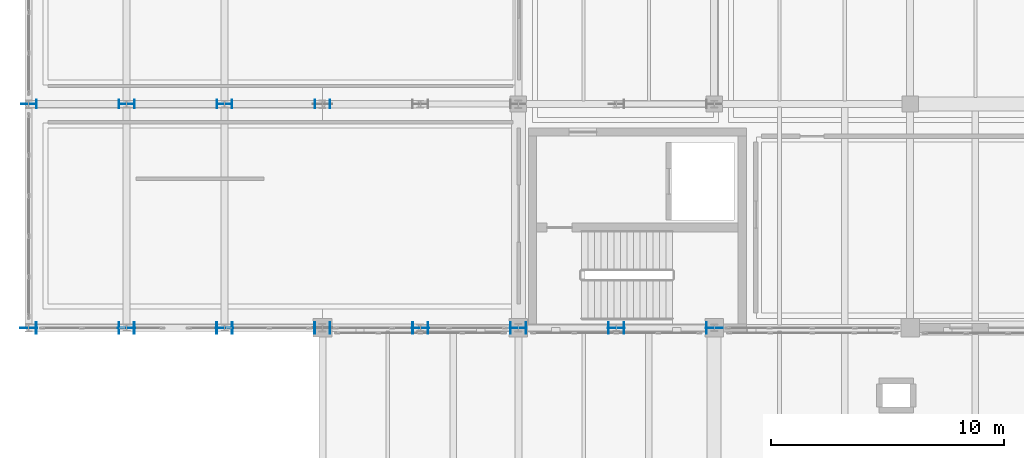
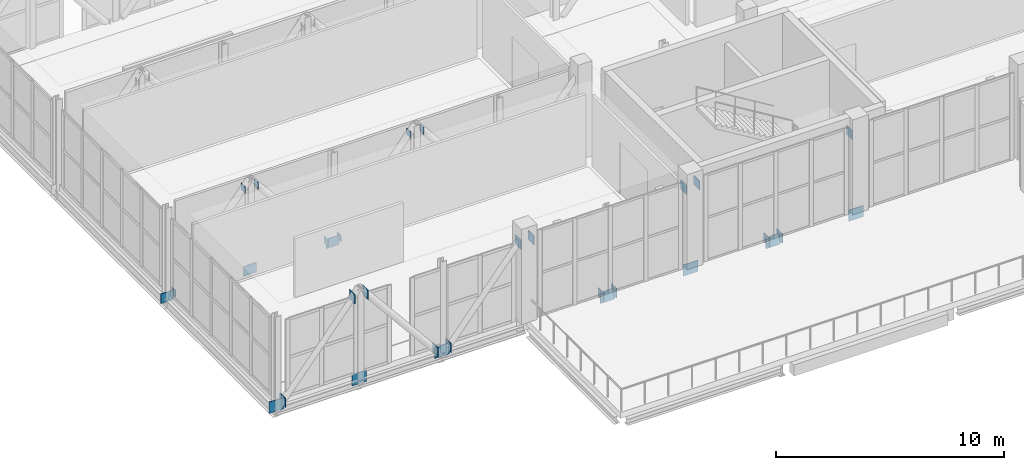
# One storey, part 56 of 77: 31 plates.
"""IFC4 building model written with IfcOpenShell, lengths in metres."""

from ifc_helpers import new_model, si_unit, direction, frame, origin, origin_2d, place, context, subcontext, project, spatial, rectangle, extrude, material, layer, layer_set, type_object, element, save


model = new_model("IFC4")

# Units and contexts
model_context = context("Model", 3, precision=1e-05, world=origin(), true_north=direction((0.0, 1.0)))
body_context = subcontext(model_context, "Body", "Model", "MODEL_VIEW")
ifc_project = project(units=[si_unit("LENGTHUNIT", "METRE"), si_unit("AREAUNIT", "SQUARE_METRE"), si_unit("VOLUMEUNIT", "CUBIC_METRE"), si_unit("PLANEANGLEUNIT", "RADIAN"), si_unit("MASSUNIT", "GRAM", prefix="KILO")], contexts=[model_context])

# Site, building, storey
site_placement = place(None, origin())
site = spatial("IfcSite", under=ifc_project, at=site_placement, CompositionType="ELEMENT")
building_placement = place(site_placement, origin())
building = spatial("IfcBuilding", under=site, at=building_placement, Name="Zulmaris Art Gallery", CompositionType="ELEMENT")
storey_placement = place(building_placement, frame((0.0, 0.0, 15.60009765625)))
storey = spatial("IfcBuildingStorey", under=building, at=storey_placement, Name="L03", CompositionType="ELEMENT", Elevation=15.60009765625)

# Plates
ifc_material = material(Name="Steel S355J2", Category="steel")
ifc_layer_1 = layer(ifc_material, 0.02197265625)
ifc_layer_set_1 = layer_set([ifc_layer_1], Name="Steel S355J2")
plate_type_1 = type_object("IfcPlateType", Name="PLT-CP02", PredefinedType="USERDEFINED", material=ifc_layer_set_1)
for number, where, z_axis, x_axis, name in (
    (1, (11.72998046875, 31.199951171875, -0.31396484375), (0.0, 0.0, 1.0), (1.0, 0.0, 0.0), "Hollow-section end cap plate 15"),
    (2, (15.27001953125, 31.199951171875, 4.00048828125), (0.0, 0.0, 1.0), (1.0, 0.0, 0.0), "Hollow-section end cap plate 16"),
    (3, (15.929931640625, 31.199951171875, 4.00048828125), (0.0, 0.0, 1.0), (1.0, 0.0, 0.0), "Hollow-section end cap plate 17"),
    (4, (19.47021484375, 31.199951171875, -0.31396484375), (0.0, 0.0, 1.0), (1.0, 0.0, 0.0), "Hollow-section end cap plate 18"),
    (5, (20.1298828125, 31.199951171875, -0.31396484375), (0.0, 0.0, 1.0), (1.0, 0.0, 0.0), "Hollow-section end cap plate 19"),
    (6, (23.670166015625, 31.199951171875, 4.00048828125), (0.0, 0.0, 1.0), (1.0, 0.0, 0.0), "Hollow-section end cap plate 20"),
    (7, (24.329833984375, 31.199951171875, 4.00048828125), (0.0, 0.0, 1.0), (1.0, 0.0, 0.0), "Hollow-section end cap plate 21"),
):
    element("IfcPlate", number, at=place(storey_placement, frame(where, z_axis=z_axis, x_axis=x_axis)), inside=storey, type_object=plate_type_1, Name=name, ObjectType="CAP PLATE", PredefinedType="USERDEFINED", context=body_context, shape_type="SweptSolid", body=[
        extrude(rectangle(XDim=0.02197265625, YDim=0.360107421875, at=origin_2d()), origin(), (0.0, 0.0, 1.0), 0.360107421875),
    ])
ifc_layer_2 = layer(ifc_material, 0.028076171875)
ifc_layer_set_2 = layer_set([ifc_layer_2], Name="Steel S355J2")
plate_type_2 = type_object("IfcPlateType", Name="PLT-CP04", PredefinedType="USERDEFINED", material=ifc_layer_set_2)
for number, where, z_axis, x_axis, name in (
    (8, (11.72998046875, 21.60009765625, -0.384033203125), (0.0, 0.0, 1.0), (1.0, 0.0, 0.0), "Hollow-section end cap plate 1"),
    (9, (15.27001953125, 21.60009765625, 3.930419921875), (0.0, 0.0, 1.0), (1.0, 0.0, 0.0), "Hollow-section end cap plate 2"),
    (10, (15.929931640625, 21.60009765625, 3.930419921875), (0.0, 0.0, 1.0), (1.0, 0.0, 0.0), "Hollow-section end cap plate 3"),
    (11, (19.47021484375, 21.60009765625, -0.384033203125), (0.0, 0.0, 1.0), (1.0, 0.0, 0.0), "Hollow-section end cap plate 4"),
    (12, (20.1298828125, 21.60009765625, -0.384033203125), (0.0, 0.0, 1.0), (1.0, 0.0, 0.0), "Hollow-section end cap plate 5"),
    (13, (23.670166015625, 21.60009765625, 3.930419921875), (0.0, 0.0, 1.0), (1.0, 0.0, 0.0), "Hollow-section end cap plate 6"),
    (14, (24.329833984375, 21.60009765625, 3.930419921875), (0.0, 0.0, 1.0), (1.0, 0.0, 0.0), "Hollow-section end cap plate 7"),
    (15, (27.8701171875, 21.60009765625, -0.384033203125), (0.0, 0.0, 1.0), (1.0, 0.0, 0.0), "Hollow-section end cap plate 8"),
    (16, (28.52978515625, 21.60009765625, -0.384033203125), (0.0, 0.0, 1.0), (1.0, 0.0, 0.0), "Hollow-section end cap plate 9"),
    (17, (32.070068359375, 21.60009765625, 3.930419921875), (0.0, 0.0, 1.0), (1.0, 0.0, 0.0), "Hollow-section end cap plate 10"),
    (18, (32.72998046875, 21.60009765625, 3.930419921875), (0.0, 0.0, 1.0), (1.0, 0.0, 0.0), "Hollow-section end cap plate 11"),
    (19, (36.27001953125, 21.60009765625, -0.384033203125), (0.0, 0.0, 1.0), (1.0, 0.0, 0.0), "Hollow-section end cap plate 12"),
    (20, (36.929931640625, 21.60009765625, -0.384033203125), (0.0, 0.0, 1.0), (1.0, 0.0, 0.0), "Hollow-section end cap plate 13"),
    (21, (40.47021484375, 21.60009765625, 3.930419921875), (0.0, 0.0, 1.0), (1.0, 0.0, 0.0), "Hollow-section end cap plate 14"),
):
    element("IfcPlate", number, at=place(storey_placement, frame(where, z_axis=z_axis, x_axis=x_axis)), inside=storey, type_object=plate_type_2, Name=name, ObjectType="CAP PLATE", PredefinedType="USERDEFINED", context=body_context, shape_type="SweptSolid", body=[
        extrude(rectangle(XDim=0.028076171875, YDim=0.5, at=origin_2d()), origin(), (0.0, 0.0, 1.0), 0.5),
    ])
ifc_layer_3 = layer(ifc_material, 0.028076171875)
ifc_layer_set_3 = layer_set([ifc_layer_3], Name="Steel S355J2")
plate_type_3 = type_object("IfcPlateType", Name="PLT-GP02", PredefinedType="USERDEFINED", material=ifc_layer_set_3)
for number, where, z_axis, x_axis, name in (
    (22, (11.39990234375, 31.199951171875, -0.546142578125), (0.0, 0.0, 1.0), (1.0, 0.0, 0.0), "Cantilever truss TR-C2 node gusset 1"),
    (23, (15.60009765625, 31.199951171875, -0.546142578125), (0.0, 0.0, 1.0), (1.0, 0.0, 0.0), "Cantilever truss TR-C2 node gusset 2"),
    (24, (19.800048828125, 31.199951171875, -0.546142578125), (0.0, 0.0, 1.0), (1.0, 0.0, 0.0), "Cantilever truss TR-C2 node gusset 3"),
):
    element("IfcPlate", number, at=place(storey_placement, frame(where, z_axis=z_axis, x_axis=x_axis)), inside=storey, type_object=plate_type_3, Name=name, ObjectType="GUSSET PLATE", PredefinedType="USERDEFINED", context=body_context, shape_type="SweptSolid", body=[
        extrude(rectangle(XDim=0.639892578125, YDim=0.028076171875, at=origin_2d()), origin(), (0.0, 0.0, 1.0), 0.52001953125),
    ])
ifc_layer_4 = layer(ifc_material, 0.031982421875)
ifc_layer_set_4 = layer_set([ifc_layer_4], Name="Steel S355J2")
plate_type_4 = type_object("IfcPlateType", Name="PLT-GP03", PredefinedType="USERDEFINED", material=ifc_layer_set_4)
for number, where, z_axis, x_axis, name in (
    (25, (11.39990234375, 21.60009765625, -0.586181640625), (0.0, 0.0, 1.0), (1.0, 0.0, 0.0), "Cantilever truss TR-C1 node gusset 1"),
    (26, (15.60009765625, 21.60009765625, -0.586181640625), (0.0, 0.0, 1.0), (1.0, 0.0, 0.0), "Cantilever truss TR-C1 node gusset 2"),
    (27, (19.800048828125, 21.60009765625, -0.586181640625), (0.0, 0.0, 1.0), (1.0, 0.0, 0.0), "Cantilever truss TR-C1 node gusset 3"),
    (28, (28.199951171875, 21.60009765625, -0.586181640625), (0.0, 0.0, 1.0), (1.0, 0.0, 0.0), "Cantilever truss TR-C1 node gusset 5"),
    (29, (32.39990234375, 21.60009765625, -0.586181640625), (0.0, 0.0, 1.0), (1.0, 0.0, 0.0), "Cantilever truss TR-C1 node gusset 6"),
    (30, (36.60009765625, 21.60009765625, -0.586181640625), (0.0, 0.0, 1.0), (1.0, 0.0, 0.0), "Cantilever truss TR-C1 node gusset 7"),
    (31, (40.800048828125, 21.60009765625, -0.586181640625), (0.0, 0.0, 1.0), (1.0, 0.0, 0.0), "Cantilever truss TR-C1 node gusset 8"),
):
    element("IfcPlate", number, at=place(storey_placement, frame(where, z_axis=z_axis, x_axis=x_axis)), inside=storey, type_object=plate_type_4, Name=name, ObjectType="GUSSET PLATE", PredefinedType="USERDEFINED", context=body_context, shape_type="SweptSolid", body=[
        extrude(rectangle(XDim=0.739990234375, YDim=0.031982421875, at=origin_2d()), origin(), (0.0, 0.0, 1.0), 0.60009765625),
    ])

save(model, "model.ifc")
